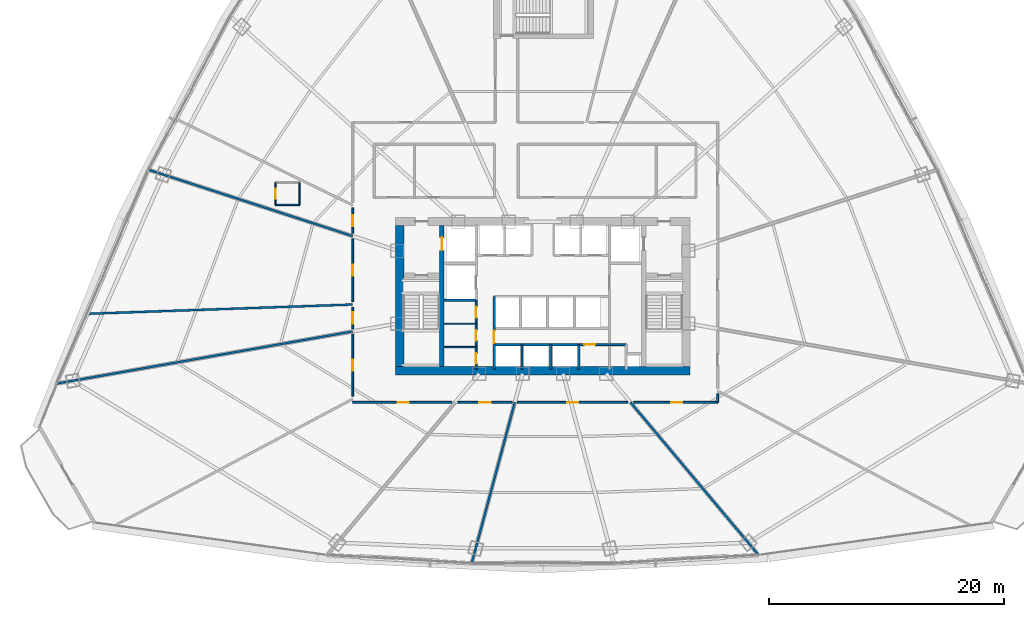
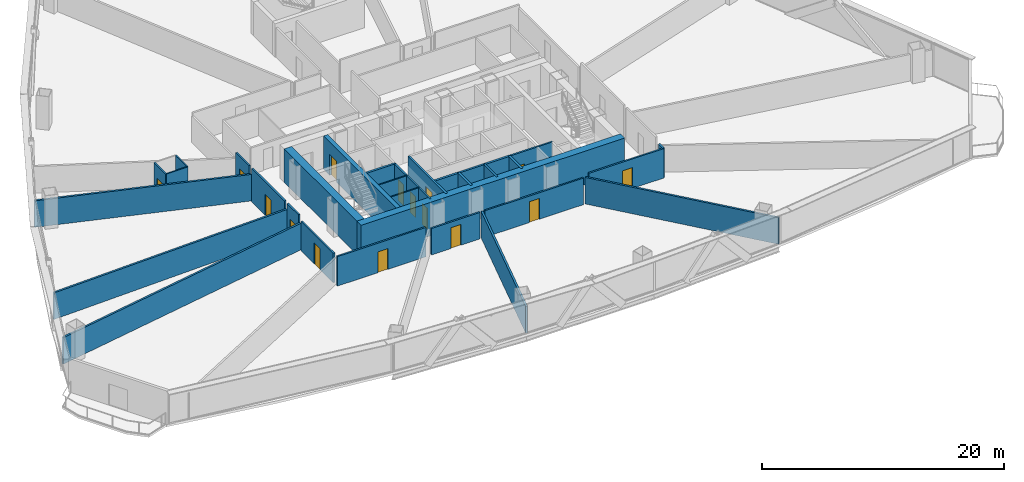
# One storey, part 29 of 37: 30 walls, 15 doors, 15 openings.
"""IFC4 building model written with IfcOpenShell, lengths in metres."""

from ifc_helpers import new_model, si_unit, direction, frame, frame_2d, origin, origin_with_axes, place, context, subcontext, project, spatial, rectangle, extrude, source, transform, mapped, material, layer, layer_set, type_object, element, fill, save


model = new_model("IFC4")

# Units and contexts
model_context = context("Model", 3, precision=1e-05, world=origin(), true_north=direction((0.0, 1.0)))
body_context = subcontext(model_context, "Body", "Model", "MODEL_VIEW")
ifc_project = project(units=[si_unit("LENGTHUNIT", "METRE"), si_unit("AREAUNIT", "SQUARE_METRE"), si_unit("VOLUMEUNIT", "CUBIC_METRE"), si_unit("PLANEANGLEUNIT", "RADIAN"), si_unit("MASSUNIT", "GRAM", prefix="KILO"), si_unit("THERMODYNAMICTEMPERATUREUNIT", "KELVIN"), si_unit("POWERUNIT", "WATT")], contexts=[model_context])

# Site, building, storey
site_placement = place(None, origin())
site = spatial("IfcSite", under=ifc_project, at=site_placement, CompositionType="ELEMENT")
building_placement = place(site_placement, origin())
building = spatial("IfcBuilding", under=site, at=building_placement, Name="Yunzhuo Pagoda Commons", CompositionType="ELEMENT")
storey_placement = place(building_placement, frame((0.0, 0.0, 52.179931640625)))
storey = spatial("IfcBuildingStorey", under=building, at=storey_placement, Name="L13", CompositionType="ELEMENT", Elevation=52.179931640625)

# Walls
ifc_material_1 = material(Name="Concrete C60", Category="concrete")
ifc_layer_1 = layer(ifc_material_1, 0.699951171875)
ifc_layer_set_1 = layer_set([ifc_layer_1], Name="Concrete C60")
wall_type_1 = type_object("IfcWallType", Name="W-C01 Lower Core Shear Wall 700", PredefinedType="SHEAR", material=ifc_layer_set_1)
wall_1_placement = place(storey_placement, frame((35.449951171875, 27.5, 0.0), z_axis=(0.0, 0.0, 1.0), x_axis=(1.0, 0.0, 0.0)))
element("IfcWall", 1, at=wall_1_placement, inside=storey, type_object=wall_type_1, Name="L13 core shear wall S", PredefinedType="SHEAR", context=body_context, shape_type="SweptSolid", body=[
    extrude(rectangle(XDim=25.10009765625, YDim=0.699951171875, at=frame_2d((12.550048828125, 0.0))), origin(), (0.0, 0.0, 1.0), 3.3701171875),
])
wall_2_placement = place(storey_placement, frame((35.800048828125, 27.85009765625, 0.0), z_axis=(0.0, 0.0, 1.0), x_axis=(0.0, 1.0, 0.0)))
element("IfcWall", 2, at=wall_2_placement, inside=storey, type_object=wall_type_1, Name="L13 core shear wall W", PredefinedType="SHEAR", context=body_context, shape_type="SweptSolid", body=[
    extrude(rectangle(XDim=12.0, YDim=0.699951171875, at=frame_2d((6.0, 0.0))), origin(), (0.0, 0.0, 1.0), 3.3701171875),
])

# Wall, openings, doors
ifc_material_2 = material(Name="Gypsum plasterboard on acoustic stud")
ifc_layer_2 = layer(ifc_material_2, 0.159912109375)
ifc_layer_set_2 = layer_set([ifc_layer_2], Name="Gypsum plasterboard on acoustic stud")
wall_type_2 = type_object("IfcWallType", Name="W-COR1 Tower Rated Corridor Wall 160", PredefinedType="PARTITIONING", material=ifc_layer_set_2)
wall_3_placement = place(storey_placement, frame((42.320068359375, 27.60009765625, 0.0), z_axis=(0.0, 0.0, 1.0), x_axis=(0.0, 1.0, 0.0)))
wall_3 = element("IfcWall", 3, at=wall_3_placement, inside=storey, type_object=wall_type_2, Name="L13 interior wall IW-L13-CSWE", PredefinedType="PARTITIONING", context=body_context, shape_type="SweptSolid", body=[
    extrude(rectangle(XDim=5.89990234375, YDim=0.159912109375, at=frame_2d((2.949951171875, 0.0))), origin(), (0.0, 0.0, 1.0), 3.3701171875),
])
opening_1_placement = place(wall_3_placement, frame((0.5, 0.0, 0.0)))
opening_1 = element("IfcOpeningElement", 4, at=opening_1_placement, cuts=wall_3, Name="Opening D-03", PredefinedType="OPENING", context=body_context, shape_type="SweptSolid", body=[
    extrude(rectangle(XDim=0.89990234375, YDim=2.10009765625, at=frame_2d((0.449951171875, 1.050048828125))), frame((0.0, 0.08984375, 0.0), z_axis=(0.0, -1.0, 0.0), x_axis=(1.0, 0.0, 0.0)), (0.0, 0.0, 1.0), 0.179931640625),
])
opening_2_placement = place(wall_3_placement, frame((2.449951171875, 0.0, 0.0)))
opening_2 = element("IfcOpeningElement", 5, at=opening_2_placement, cuts=wall_3, Name="Opening D-03", PredefinedType="OPENING", context=body_context, shape_type="SweptSolid", body=[
    extrude(rectangle(XDim=0.89990234375, YDim=2.10009765625, at=frame_2d((0.449951171875, 1.050048828125))), frame((0.0, 0.08984375, 0.0), z_axis=(0.0, -1.0, 0.0), x_axis=(1.0, 0.0, 0.0)), (0.0, 0.0, 1.0), 0.179931640625),
])
opening_3_placement = place(wall_3_placement, frame((4.419921875, 0.0, 0.0)))
opening_3 = element("IfcOpeningElement", 6, at=opening_3_placement, cuts=wall_3, Name="Opening D-11", PredefinedType="OPENING", context=body_context, shape_type="SweptSolid", body=[
    extrude(rectangle(XDim=0.93994140625, YDim=2.10009765625, at=frame_2d((0.469970703125, 1.050048828125))), frame((0.0, 0.08984375, 0.0), z_axis=(0.0, -1.0, 0.0), x_axis=(1.0, 0.0, 0.0)), (0.0, 0.0, 1.0), 0.179931640625),
])
ifc_material_3 = material(Name="Galvanized fire-resisting metal leaf")
door_type_1 = type_object("IfcDoorType", Name="D-03 Core Service Fire Door 900x2100", OperationType="NOTDEFINED", PredefinedType="DOOR", material=ifc_material_3)
shared_shape_1 = source(origin(), body_context, "Body", "SweptSolid", [
    extrude(rectangle(XDim=0.89990234375, YDim=2.10009765625, at=frame_2d((0.449951171875, 1.050048828125))), frame((0.0, 0.02490234375, 0.0), z_axis=(0.0, -1.0, 0.0), x_axis=(1.0, 0.0, 0.0)), (0.0, 0.0, 1.0), 0.050048828125),
])
door_1_placement = place(opening_1_placement, origin_with_axes())
door_1 = element("IfcDoor", 7, at=door_1_placement, inside=storey, type_object=door_type_1, Name="L13 switch door", OperationType="SINGLE_SWING_RIGHT", OverallHeight=2.10009765625, OverallWidth=0.89990234375, PredefinedType="DOOR", context=body_context, shape_type="MappedRepresentation", body=[
    mapped(shared_shape_1, transform((0.0, 0.0, 0.0), scale=1.0)),
])
fill(opening_1, door_1)
door_2_placement = place(opening_2_placement, origin_with_axes())
door_2 = element("IfcDoor", 8, at=door_2_placement, inside=storey, type_object=door_type_1, Name="L13 cleaner door", OperationType="SINGLE_SWING_RIGHT", OverallHeight=2.10009765625, OverallWidth=0.89990234375, PredefinedType="DOOR", context=body_context, shape_type="MappedRepresentation", body=[
    mapped(shared_shape_1, transform((0.0, 0.0, 0.0), scale=1.0)),
])
fill(opening_2, door_2)
door_type_2 = type_object("IfcDoorType", Name="D-11 Accessible Washroom Fire Door 940x2100", OperationType="NOTDEFINED", PredefinedType="DOOR", material=ifc_material_3)
shared_shape_2 = source(origin(), body_context, "Body", "SweptSolid", [
    extrude(rectangle(XDim=0.93994140625, YDim=2.10009765625, at=frame_2d((0.469970703125, 1.050048828125))), frame((0.0, 0.02490234375, 0.0), z_axis=(0.0, -1.0, 0.0), x_axis=(1.0, 0.0, 0.0)), (0.0, 0.0, 1.0), 0.050048828125),
])
door_3_placement = place(opening_3_placement, origin_with_axes())
door_3 = element("IfcDoor", 9, at=door_3_placement, inside=storey, type_object=door_type_2, Name="L13 core WC door", OperationType="SINGLE_SWING_LEFT", OverallHeight=2.10009765625, OverallWidth=0.93994140625, PredefinedType="DOOR", context=body_context, shape_type="MappedRepresentation", body=[
    mapped(shared_shape_2, transform((0.0, 0.0, 0.0), scale=1.0)),
])
fill(opening_3, door_3)

# Wall, opening, door
wall_4_placement = place(storey_placement, frame((51.050048828125, 29.719970703125, 0.0), z_axis=(0.0, 0.0, 1.0), x_axis=(1.0, 0.0, 0.0)))
wall_4 = element("IfcWall", 10, at=wall_4_placement, inside=storey, type_object=wall_type_2, Name="L13 interior wall IW-L13-CSES", PredefinedType="PARTITIONING", context=body_context, shape_type="SweptSolid", body=[
    extrude(rectangle(XDim=4.070068359375, YDim=0.159912109375, at=frame_2d((2.03515625, 0.0))), origin(), (0.0, 0.0, 1.0), 3.3701171875),
])
opening_4_placement = place(wall_4_placement, frame((0.5, 0.0, 0.0)))
opening_4 = element("IfcOpeningElement", 11, at=opening_4_placement, cuts=wall_4, Name="Opening D-03", PredefinedType="OPENING", context=body_context, shape_type="SweptSolid", body=[
    extrude(rectangle(XDim=0.89990234375, YDim=2.10009765625, at=frame_2d((0.449951171875, 1.050048828125))), frame((0.0, 0.08984375, 0.0), z_axis=(0.0, -1.0, 0.0), x_axis=(1.0, 0.0, 0.0)), (0.0, 0.0, 1.0), 0.179931640625),
])
door_4_placement = place(opening_4_placement, origin_with_axes())
door_4 = element("IfcDoor", 12, at=door_4_placement, inside=storey, type_object=door_type_1, Name="L13 core pantry door", OperationType="SINGLE_SWING_RIGHT", OverallHeight=2.10009765625, OverallWidth=0.89990234375, PredefinedType="DOOR", context=body_context, shape_type="MappedRepresentation", body=[
    mapped(shared_shape_1, transform((0.0, 0.0, 0.0), scale=1.0)),
])
fill(opening_4, door_4)

wall_5_placement = place(storey_placement, frame((31.800048828125, 25.306396484375, 0.0), z_axis=(0.0, 0.0, 1.0), x_axis=(0.0, 1.0, 0.0)))
wall_5 = element("IfcWall", 13, at=wall_5_placement, inside=storey, type_object=wall_type_2, Name="L13 interior wall IW-L13-CWL01", PredefinedType="PARTITIONING", context=body_context, shape_type="SweptSolid", body=[
    extrude(rectangle(XDim=5.313720703125, YDim=0.159912109375, at=frame_2d((2.65673828125, 0.0))), origin(), (0.0, 0.0, 1.0), 2.969970703125),
])
opening_5_placement = place(wall_5_placement, frame((2.18359375, 0.0, 0.0)))
opening_5 = element("IfcOpeningElement", 14, at=opening_5_placement, cuts=wall_5, Name="Opening D-06", PredefinedType="OPENING", context=body_context, shape_type="SweptSolid", body=[
    extrude(rectangle(XDim=0.949951171875, YDim=2.10009765625, at=frame_2d((0.47509765625, 1.050048828125))), frame((0.0, 0.08984375, 0.0), z_axis=(0.0, -1.0, 0.0), x_axis=(1.0, 0.0, 0.0)), (0.0, 0.0, 1.0), 0.179931640625),
])
door_type_3 = type_object("IfcDoorType", Name="D-06 Co-Living Suite Entrance Fire Door 950x2100", OperationType="NOTDEFINED", PredefinedType="DOOR", material=ifc_material_3)
shared_shape_3 = source(origin(), body_context, "Body", "SweptSolid", [
    extrude(rectangle(XDim=0.949951171875, YDim=2.10009765625, at=frame_2d((0.47509765625, 1.050048828125))), frame((0.0, 0.02490234375, 0.0), z_axis=(0.0, -1.0, 0.0), x_axis=(1.0, 0.0, 0.0)), (0.0, 0.0, 1.0), 0.050048828125),
])
door_5_placement = place(opening_5_placement, origin_with_axes())
door_5 = element("IfcDoor", 15, at=door_5_placement, inside=storey, type_object=door_type_3, Name="L13 unit 09 entrance door", OperationType="SINGLE_SWING_LEFT", OverallHeight=2.10009765625, OverallWidth=0.949951171875, PredefinedType="DOOR", context=body_context, shape_type="MappedRepresentation", body=[
    mapped(shared_shape_3, transform((0.0, 0.0, 0.0), scale=1.0)),
])
fill(opening_5, door_5)

wall_6_placement = place(storey_placement, frame((31.800048828125, 31.063232421875, 0.0), z_axis=(0.0, 0.0, 1.0), x_axis=(0.0, 1.0, 0.0)))
wall_6 = element("IfcWall", 16, at=wall_6_placement, inside=storey, type_object=wall_type_2, Name="L13 interior wall IW-L13-CWL02", PredefinedType="PARTITIONING", context=body_context, shape_type="SweptSolid", body=[
    extrude(rectangle(XDim=1.85107421875, YDim=0.159912109375, at=frame_2d((0.925537109375, 0.0))), origin(), (0.0, 0.0, 1.0), 3.3701171875),
])
opening_6_placement = place(wall_6_placement, frame((0.45068359375, 0.0, 0.0)))
opening_6 = element("IfcOpeningElement", 17, at=opening_6_placement, cuts=wall_6, Name="Opening D-06", PredefinedType="OPENING", context=body_context, shape_type="SweptSolid", body=[
    extrude(rectangle(XDim=0.949951171875, YDim=2.10009765625, at=frame_2d((0.47509765625, 1.050048828125))), frame((0.0, 0.08984375, 0.0), z_axis=(0.0, -1.0, 0.0), x_axis=(1.0, 0.0, 0.0)), (0.0, 0.0, 1.0), 0.179931640625),
])
door_6_placement = place(opening_6_placement, origin_with_axes())
door_6 = element("IfcDoor", 18, at=door_6_placement, inside=storey, type_object=door_type_3, Name="L13 unit 08 entrance door", OperationType="SINGLE_SWING_RIGHT", OverallHeight=2.10009765625, OverallWidth=0.949951171875, PredefinedType="DOOR", context=body_context, shape_type="MappedRepresentation", body=[
    mapped(shared_shape_3, transform((0.0, 0.0, 0.0), scale=1.0)),
])
fill(opening_6, door_6)

wall_7_placement = place(storey_placement, frame((31.800048828125, 33.35400390625, 0.0), z_axis=(0.0, 0.0, 1.0), x_axis=(0.0, 1.0, 0.0)))
wall_7 = element("IfcWall", 19, at=wall_7_placement, inside=storey, type_object=wall_type_2, Name="L13 interior wall IW-L13-CWL03", PredefinedType="PARTITIONING", context=body_context, shape_type="SweptSolid", body=[
    extrude(rectangle(XDim=5.389892578125, YDim=0.159912109375, at=frame_2d((2.69482421875, 0.0))), origin(), (0.0, 0.0, 1.0), 3.3701171875),
])
opening_7_placement = place(wall_7_placement, frame((2.219970703125, 0.0, 0.0)))
opening_7 = element("IfcOpeningElement", 20, at=opening_7_placement, cuts=wall_7, Name="Opening D-06", PredefinedType="OPENING", context=body_context, shape_type="SweptSolid", body=[
    extrude(rectangle(XDim=0.949951171875, YDim=2.10009765625, at=frame_2d((0.47509765625, 1.050048828125))), frame((0.0, 0.08984375, 0.0), z_axis=(0.0, -1.0, 0.0), x_axis=(1.0, 0.0, 0.0)), (0.0, 0.0, 1.0), 0.179931640625),
])
door_7_placement = place(opening_7_placement, origin_with_axes())
door_7 = element("IfcDoor", 21, at=door_7_placement, inside=storey, type_object=door_type_3, Name="L13 unit 07 entrance door", OperationType="SINGLE_SWING_LEFT", OverallHeight=2.10009765625, OverallWidth=0.949951171875, PredefinedType="DOOR", context=body_context, shape_type="MappedRepresentation", body=[
    mapped(shared_shape_3, transform((0.0, 0.0, 0.0), scale=1.0)),
])
fill(opening_7, door_7)

wall_8_placement = place(storey_placement, frame((31.800048828125, 39.195068359375, 0.0), z_axis=(0.0, 0.0, 1.0), x_axis=(0.0, 1.0, 0.0)))
wall_8 = element("IfcWall", 22, at=wall_8_placement, inside=storey, type_object=wall_type_2, Name="L13 interior wall IW-L13-CWL04", PredefinedType="PARTITIONING", context=body_context, shape_type="SweptSolid", body=[
    extrude(rectangle(XDim=2.1865234375, YDim=0.159912109375, at=frame_2d((1.09326171875, 0.0))), origin(), (0.0, 0.0, 1.0), 3.3701171875),
])
opening_8_placement = place(wall_8_placement, frame((0.612548828125, 0.0, 0.0)))
opening_8 = element("IfcOpeningElement", 23, at=opening_8_placement, cuts=wall_8, Name="Opening D-06", PredefinedType="OPENING", context=body_context, shape_type="SweptSolid", body=[
    extrude(rectangle(XDim=0.949951171875, YDim=2.10009765625, at=frame_2d((0.47509765625, 1.050048828125))), frame((0.0, 0.08984375, 0.0), z_axis=(0.0, -1.0, 0.0), x_axis=(1.0, 0.0, 0.0)), (0.0, 0.0, 1.0), 0.179931640625),
])
door_8_placement = place(opening_8_placement, origin_with_axes())
door_8 = element("IfcDoor", 24, at=door_8_placement, inside=storey, type_object=door_type_3, Name="L13 unit 06 entrance door", OperationType="SINGLE_SWING_RIGHT", OverallHeight=2.10009765625, OverallWidth=0.949951171875, PredefinedType="DOOR", context=body_context, shape_type="MappedRepresentation", body=[
    mapped(shared_shape_3, transform((0.0, 0.0, 0.0), scale=1.0)),
])
fill(opening_8, door_8)

# Wall
wall_9_placement = place(storey_placement, frame((62.89990234375, 25.5283203125, 0.0), z_axis=(0.0, 0.0, 1.0), x_axis=(0.0, -1.0, 0.0)))
element("IfcWall", 25, at=wall_9_placement, inside=storey, type_object=wall_type_2, Name="L13 interior wall IW-L13-CWL16", PredefinedType="PARTITIONING", context=body_context, shape_type="SweptSolid", body=[
    extrude(rectangle(XDim=0.728271484375, YDim=0.159912109375, at=frame_2d((0.3642578125, 0.0))), origin(), (0.0, 0.0, 1.0), 2.969970703125),
])

# Wall, opening, door
wall_10_placement = place(storey_placement, frame((62.89990234375, 24.800048828125, 0.0), z_axis=(0.0, 0.0, 1.0), x_axis=(-1.0, 0.0, 0.0)))
wall_10 = element("IfcWall", 26, at=wall_10_placement, inside=storey, type_object=wall_type_2, Name="L13 interior wall IW-L13-CWL17", PredefinedType="PARTITIONING", context=body_context, shape_type="SweptSolid", body=[
    extrude(rectangle(XDim=7.144775390625, YDim=0.159912109375, at=frame_2d((3.572265625, 0.0))), origin(), (0.0, 0.0, 1.0), 2.969970703125),
])
opening_9_placement = place(wall_10_placement, frame((3.010986328125, 0.0, 0.0)))
opening_9 = element("IfcOpeningElement", 27, at=opening_9_placement, cuts=wall_10, Name="Opening D-06", PredefinedType="OPENING", context=body_context, shape_type="SweptSolid", body=[
    extrude(rectangle(XDim=0.949951171875, YDim=2.10009765625, at=frame_2d((0.47509765625, 1.050048828125))), frame((0.0, 0.08984375, 0.0), z_axis=(0.0, -1.0, 0.0), x_axis=(1.0, 0.0, 0.0)), (0.0, 0.0, 1.0), 0.179931640625),
])
door_9_placement = place(opening_9_placement, origin_with_axes())
door_9 = element("IfcDoor", 28, at=door_9_placement, inside=storey, type_object=door_type_3, Name="L13 unit 13 entrance door", OperationType="SINGLE_SWING_LEFT", OverallHeight=2.10009765625, OverallWidth=0.949951171875, PredefinedType="DOOR", context=body_context, shape_type="MappedRepresentation", body=[
    mapped(shared_shape_3, transform((0.0, 0.0, 0.0), scale=1.0)),
])
fill(opening_9, door_9)

wall_11_placement = place(storey_placement, frame((55.248046875, 24.800048828125, 0.0), z_axis=(0.0, 0.0, 1.0), x_axis=(-1.0, 0.0, 0.0)))
wall_11 = element("IfcWall", 29, at=wall_11_placement, inside=storey, type_object=wall_type_2, Name="L13 interior wall IW-L13-CWL18", PredefinedType="PARTITIONING", context=body_context, shape_type="SweptSolid", body=[
    extrude(rectangle(XDim=9.412841796875, YDim=0.159912109375, at=frame_2d((4.70654296875, 0.0))), origin(), (0.0, 0.0, 1.0), 2.670166015625),
])
opening_10_placement = place(wall_11_placement, frame((4.2314453125, 0.0, 0.0)))
opening_10 = element("IfcOpeningElement", 30, at=opening_10_placement, cuts=wall_11, Name="Opening D-06", PredefinedType="OPENING", context=body_context, shape_type="SweptSolid", body=[
    extrude(rectangle(XDim=0.949951171875, YDim=2.10009765625, at=frame_2d((0.47509765625, 1.050048828125))), frame((0.0, 0.08984375, 0.0), z_axis=(0.0, -1.0, 0.0), x_axis=(1.0, 0.0, 0.0)), (0.0, 0.0, 1.0), 0.179931640625),
])
door_10_placement = place(opening_10_placement, origin_with_axes())
door_10 = element("IfcDoor", 31, at=door_10_placement, inside=storey, type_object=door_type_3, Name="L13 Academic Reading Commons 2 door", OperationType="SINGLE_SWING_RIGHT", OverallHeight=2.10009765625, OverallWidth=0.949951171875, PredefinedType="DOOR", context=body_context, shape_type="MappedRepresentation", body=[
    mapped(shared_shape_3, transform((0.0, 0.0, 0.0), scale=1.0)),
])
fill(opening_10, door_10)

wall_12_placement = place(storey_placement, frame((45.387451171875, 24.800048828125, 0.0), z_axis=(0.0, 0.0, 1.0), x_axis=(-1.0, 0.0, 0.0)))
wall_12 = element("IfcWall", 32, at=wall_12_placement, inside=storey, type_object=wall_type_2, Name="L13 interior wall IW-L13-CWL19", PredefinedType="PARTITIONING", context=body_context, shape_type="SweptSolid", body=[
    extrude(rectangle(XDim=4.635498046875, YDim=0.159912109375, at=frame_2d((2.31787109375, 0.0))), origin(), (0.0, 0.0, 1.0), 2.670166015625),
])
opening_11_placement = place(wall_12_placement, frame((1.8388671875, 0.0, 0.0)))
opening_11 = element("IfcOpeningElement", 33, at=opening_11_placement, cuts=wall_12, Name="Opening D-06", PredefinedType="OPENING", context=body_context, shape_type="SweptSolid", body=[
    extrude(rectangle(XDim=0.949951171875, YDim=2.10009765625, at=frame_2d((0.47509765625, 1.050048828125))), frame((0.0, 0.08984375, 0.0), z_axis=(0.0, -1.0, 0.0), x_axis=(1.0, 0.0, 0.0)), (0.0, 0.0, 1.0), 0.179931640625),
])
door_11_placement = place(opening_11_placement, origin_with_axes())
door_11 = element("IfcDoor", 34, at=door_11_placement, inside=storey, type_object=door_type_3, Name="L13 unit 11 entrance door", OperationType="SINGLE_SWING_LEFT", OverallHeight=2.10009765625, OverallWidth=0.949951171875, PredefinedType="DOOR", context=body_context, shape_type="MappedRepresentation", body=[
    mapped(shared_shape_3, transform((0.0, 0.0, 0.0), scale=1.0)),
])
fill(opening_11, door_11)

wall_13_placement = place(storey_placement, frame((40.244873046875, 24.800048828125, 0.0), z_axis=(0.0, 0.0, 1.0), x_axis=(-1.0, 0.0, 0.0)))
wall_13 = element("IfcWall", 35, at=wall_13_placement, inside=storey, type_object=wall_type_2, Name="L13 interior wall IW-L13-CWL20", PredefinedType="PARTITIONING", context=body_context, shape_type="SweptSolid", body=[
    extrude(rectangle(XDim=8.44482421875, YDim=0.159912109375, at=frame_2d((4.222412109375, 0.0))), origin(), (0.0, 0.0, 1.0), 2.969970703125),
])
opening_12_placement = place(wall_13_placement, frame((3.654052734375, 0.0, 0.0)))
opening_12 = element("IfcOpeningElement", 36, at=opening_12_placement, cuts=wall_13, Name="Opening D-06", PredefinedType="OPENING", context=body_context, shape_type="SweptSolid", body=[
    extrude(rectangle(XDim=0.949951171875, YDim=2.10009765625, at=frame_2d((0.47509765625, 1.050048828125))), frame((0.0, 0.08984375, 0.0), z_axis=(0.0, -1.0, 0.0), x_axis=(1.0, 0.0, 0.0)), (0.0, 0.0, 1.0), 0.179931640625),
])
door_12_placement = place(opening_12_placement, origin_with_axes())
door_12 = element("IfcDoor", 37, at=door_12_placement, inside=storey, type_object=door_type_3, Name="L13 unit 10 entrance door", OperationType="SINGLE_SWING_RIGHT", OverallHeight=2.10009765625, OverallWidth=0.949951171875, PredefinedType="DOOR", context=body_context, shape_type="MappedRepresentation", body=[
    mapped(shared_shape_3, transform((0.0, 0.0, 0.0), scale=1.0)),
])
fill(opening_12, door_12)

# Walls
ifc_layer_3 = layer(ifc_material_2, 0.1201171875)
ifc_layer_set_3 = layer_set([ifc_layer_3], Name="Gypsum plasterboard on acoustic stud")
wall_type_3 = type_object("IfcWallType", Name="W-PRT1 Suite & Bathroom Partition 120", PredefinedType="PARTITIONING", material=ifc_layer_set_3)
for number, where, z_axis, x_axis, name in (
    (38, (39.60009765625, 29.5, 0.0), (0.0, 0.0, 1.0), (1.0, 0.0, 0.0), "L13 interior wall IW-L13-CC1"),
    (39, (39.60009765625, 31.5, 0.0), (0.0, 0.0, 1.0), (1.0, 0.0, 0.0), "L13 interior wall IW-L13-CC2"),
):
    element("IfcWall", number, at=place(storey_placement, frame(where, z_axis=z_axis, x_axis=x_axis)), inside=storey, type_object=wall_type_3, Name=name, PredefinedType="PARTITIONING", context=body_context, shape_type="SweptSolid", body=[
        extrude(rectangle(XDim=2.719970703125, YDim=0.1201171875, at=frame_2d((1.35986328125, 0.0))), origin(), (0.0, 0.0, 1.0), 3.3701171875),
    ])
wall_14_placement = place(storey_placement, frame((25.218017578125, 41.631103515625, 0.0), z_axis=(0.0, 0.0, 1.0), x_axis=(1.0, 0.0, 0.0)))
element("IfcWall", 40, at=wall_14_placement, inside=storey, type_object=wall_type_3, Name="L13 interior wall IW-L13-B06S", PredefinedType="PARTITIONING", context=body_context, shape_type="SweptSolid", body=[
    extrude(rectangle(XDim=2.050048828125, YDim=0.1201171875, at=frame_2d((1.02490234375, 0.0))), origin(), (0.0, 0.0, 1.0), 3.3701171875),
])
wall_15_placement = place(storey_placement, frame((27.26806640625, 41.631103515625, 0.0), z_axis=(0.0, 0.0, 1.0), x_axis=(0.0, 1.0, 0.0)))
element("IfcWall", 41, at=wall_15_placement, inside=storey, type_object=wall_type_3, Name="L13 interior wall IW-L13-B06E", PredefinedType="PARTITIONING", context=body_context, shape_type="SweptSolid", body=[
    extrude(rectangle(XDim=1.89990234375, YDim=0.1201171875, at=frame_2d((0.949951171875, 0.0))), origin(), (0.0, 0.0, 1.0), 3.3701171875),
])

# Wall, opening, door
wall_16_placement = place(storey_placement, frame((25.218017578125, 43.531005859375, 0.0), z_axis=(0.0, 0.0, 1.0), x_axis=(0.0, -1.0, 0.0)))
wall_16 = element("IfcWall", 42, at=wall_16_placement, inside=storey, type_object=wall_type_3, Name="L13 interior wall IW-L13-B06W", PredefinedType="PARTITIONING", context=body_context, shape_type="SweptSolid", body=[
    extrude(rectangle(XDim=1.89990234375, YDim=0.1201171875, at=frame_2d((0.949951171875, 0.0))), origin(), (0.0, 0.0, 1.0), 3.3701171875),
])
opening_13_placement = place(wall_16_placement, frame((0.52490234375, 0.0, 0.0)))
opening_13 = element("IfcOpeningElement", 43, at=opening_13_placement, cuts=wall_16, Name="Opening D-05", PredefinedType="OPENING", context=body_context, shape_type="SweptSolid", body=[
    extrude(rectangle(XDim=0.85009765625, YDim=2.10009765625, at=frame_2d((0.425048828125, 1.050048828125))), frame((0.0, 0.070068359375, 0.0), z_axis=(0.0, -1.0, 0.0), x_axis=(1.0, 0.0, 0.0)), (0.0, 0.0, 1.0), 0.14013671875),
])
ifc_material_4 = material(Name="Powder-coated aluminium and timber acoustic leaf", Category="wood")
door_type_4 = type_object("IfcDoorType", Name="D-05 En-Suite Bathroom Door 850x2100", OperationType="NOTDEFINED", PredefinedType="DOOR", material=ifc_material_4)
shared_shape_4 = source(origin(), body_context, "Body", "SweptSolid", [
    extrude(rectangle(XDim=0.85009765625, YDim=2.10009765625, at=frame_2d((0.425048828125, 1.050048828125))), frame((0.0, 0.02490234375, 0.0), z_axis=(0.0, -1.0, 0.0), x_axis=(1.0, 0.0, 0.0)), (0.0, 0.0, 1.0), 0.050048828125),
])
door_13_placement = place(opening_13_placement, frame((0.85009765625, 0.0, 0.0), z_axis=(0.0, 0.0, 1.0), x_axis=(-1.0, 0.0, 0.0)))
door_13 = element("IfcDoor", 44, at=door_13_placement, inside=storey, type_object=door_type_4, Name="L13 unit 06 bathroom door", OperationType="SINGLE_SWING_RIGHT", OverallHeight=2.10009765625, OverallWidth=0.85009765625, PredefinedType="DOOR", context=body_context, shape_type="MappedRepresentation", body=[
    mapped(shared_shape_4, transform((0.0, 0.0, 0.0), scale=1.0)),
])
fill(opening_13, door_13)

# Walls
ifc_layer_4 = layer(ifc_material_2, 0.179931640625)
ifc_layer_set_4 = layer_set([ifc_layer_4], Name="Gypsum plasterboard on acoustic stud")
wall_type_4 = type_object("IfcWallType", Name="W-PRT2 Acoustic Unit Demising Wall 180", PredefinedType="PARTITIONING", material=ifc_layer_set_4)
wall_17_placement = place(storey_placement, frame((31.800048828125, 38.963623046875, 0.0), z_axis=(0.0, 0.0, 1.0), x_axis=(-0.951052304058, 0.309029958006, 0.0)))
element("IfcWall", 45, at=wall_17_placement, inside=storey, type_object=wall_type_4, Name="L13 interior wall IW-L13-RAD06", PredefinedType="PARTITIONING", context=body_context, shape_type="SweptSolid", body=[
    extrude(rectangle(XDim=18.298583984375, YDim=0.179931640625, at=frame_2d((9.1494140625, 0.0))), origin(), (0.0, 0.0, 1.0), 2.670166015625),
])
wall_18_placement = place(storey_placement, frame((31.800048828125, 33.13427734375, 0.0), z_axis=(0.0, 0.0, 1.0), x_axis=(-0.999390651746, -0.034904515515, 0.0)))
element("IfcWall", 46, at=wall_18_placement, inside=storey, type_object=wall_type_4, Name="L13 interior wall IW-L13-RAD07", PredefinedType="PARTITIONING", context=body_context, shape_type="SweptSolid", body=[
    extrude(rectangle(XDim=22.683349609375, YDim=0.179931640625, at=frame_2d((11.341796875, 0.0))), origin(), (0.0, 0.0, 1.0), 2.670166015625),
])
wall_19_placement = place(storey_placement, frame((31.800048828125, 30.843505859375, 0.0), z_axis=(0.0, 0.0, 1.0), x_axis=(-0.984808213418, -0.173645566555, 0.0)))
element("IfcWall", 47, at=wall_19_placement, inside=storey, type_object=wall_type_4, Name="L13 interior wall IW-L13-RAD08", PredefinedType="PARTITIONING", context=body_context, shape_type="SweptSolid", body=[
    extrude(rectangle(XDim=25.60986328125, YDim=0.179931640625, at=frame_2d((12.804931640625, 0.0))), origin(), (0.0, 0.0, 1.0), 2.670166015625),
])
wall_20_placement = place(storey_placement, frame((45.615234375, 24.800048828125, 0.0), z_axis=(0.0, 0.0, 1.0), x_axis=(-0.258821679731, -0.965925120339, 0.0)))
element("IfcWall", 48, at=wall_20_placement, inside=storey, type_object=wall_type_4, Name="L13 interior wall IW-L13-RAD11", PredefinedType="PARTITIONING", context=body_context, shape_type="SweptSolid", body=[
    extrude(rectangle(XDim=14.20947265625, YDim=0.179931640625, at=frame_2d((7.104736328125, 0.0))), origin(), (0.0, 0.0, 1.0), 2.670166015625),
])
wall_21_placement = place(storey_placement, frame((55.468017578125, 24.800048828125, 0.0), z_axis=(0.0, 0.0, 1.0), x_axis=(0.642791593325, -0.766041100432, 0.0)))
element("IfcWall", 49, at=wall_21_placement, inside=storey, type_object=wall_type_4, Name="L13 interior wall IW-L13-RAD12", PredefinedType="PARTITIONING", context=body_context, shape_type="SweptSolid", body=[
    extrude(rectangle(XDim=16.98779296875, YDim=0.179931640625, at=frame_2d((8.493896484375, 0.0))), origin(), (0.0, 0.0, 1.0), 2.670166015625),
])

# Wall, opening, door
ifc_layer_5 = layer(ifc_material_1, 0.39990234375)
ifc_layer_set_5 = layer_set([ifc_layer_5], Name="Concrete C60")
wall_type_5 = type_object("IfcWallType", Name="W-S01 Internal Core Shear Web 400", PredefinedType="SHEAR", material=ifc_layer_set_5)
wall_22_placement = place(storey_placement, frame((39.39990234375, 27.85009765625, 0.0), z_axis=(0.0, 0.0, 1.0), x_axis=(0.0, 1.0, 0.0)))
wall_22 = element("IfcWall", 50, at=wall_22_placement, inside=storey, type_object=wall_type_5, Name="L13 core shear wall WEBW", PredefinedType="SHEAR", context=body_context, shape_type="SweptSolid", body=[
    extrude(rectangle(XDim=12.0, YDim=0.39990234375, at=frame_2d((6.0, 0.0))), origin(), (0.0, 0.0, 1.0), 3.3701171875),
])
opening_14_placement = place(wall_22_placement, frame((9.89990234375, 0.0, 0.0)))
opening_14 = element("IfcOpeningElement", 51, at=opening_14_placement, cuts=wall_22, Name="Opening LD-01", PredefinedType="OPENING", context=body_context, shape_type="SweptSolid", body=[
    extrude(rectangle(XDim=1.10009765625, YDim=2.10009765625, at=frame_2d((0.550048828125, 1.050048828125))), frame((0.0, 0.2099609375, 0.0), z_axis=(0.0, -1.0, 0.0), x_axis=(1.0, 0.0, 0.0)), (0.0, 0.0, 1.0), 0.419921875),
])
door_type_5 = type_object("IfcDoorType", Name="LD-01 Firefighting Lift Landing Door 1100x2100", OperationType="DOUBLE_DOOR_SLIDING", PredefinedType="DOOR", material=ifc_material_3)
shared_shape_5 = source(origin(), body_context, "Body", "SweptSolid", [
    extrude(rectangle(XDim=1.10009765625, YDim=2.10009765625, at=frame_2d((0.550048828125, 1.050048828125))), frame((0.0, 0.02490234375, 0.0), z_axis=(0.0, -1.0, 0.0), x_axis=(1.0, 0.0, 0.0)), (0.0, 0.0, 1.0), 0.050048828125),
])
door_14_placement = place(opening_14_placement, frame((1.10009765625, 0.0, 0.0), z_axis=(0.0, 0.0, 1.0), x_axis=(-1.0, 0.0, 0.0)))
door_14 = element("IfcDoor", 52, at=door_14_placement, inside=storey, type_object=door_type_5, Name="L13 Firefighting lift FL-1 landing door", OperationType="DOUBLE_DOOR_SLIDING", OverallHeight=2.10009765625, OverallWidth=1.10009765625, PredefinedType="DOOR", context=body_context, shape_type="MappedRepresentation", body=[
    mapped(shared_shape_5, transform((0.0, 0.0, 0.0), scale=1.0)),
])
fill(opening_14, door_14)

# Wall
ifc_material_5 = material(Name="Concrete C40", Category="concrete")
ifc_layer_6 = layer(ifc_material_5, 0.199951171875)
ifc_layer_set_6 = layer_set([ifc_layer_6], Name="Concrete C40")
wall_type_6 = type_object("IfcWallType", Name="W-SHF Shaft & Stair Enclosure Wall 200", PredefinedType="SOLIDWALL", material=ifc_layer_set_6)
wall_23_placement = place(storey_placement, frame((39.60009765625, 33.5, 0.0), z_axis=(0.0, 0.0, 1.0), x_axis=(1.0, 0.0, 0.0)))
element("IfcWall", 53, at=wall_23_placement, inside=storey, type_object=wall_type_6, Name="L13 interior wall IW-L13-SL1S", PredefinedType="SOLIDWALL", context=body_context, shape_type="SweptSolid", body=[
    extrude(rectangle(XDim=2.719970703125, YDim=0.199951171875, at=frame_2d((1.35986328125, 0.0))), origin(), (0.0, 0.0, 1.0), 3.3701171875),
])

# Wall, opening, door
wall_24_placement = place(storey_placement, frame((43.85009765625, 27.60009765625, 0.0), z_axis=(0.0, 0.0, 1.0), x_axis=(0.0, 1.0, 0.0)))
wall_24 = element("IfcWall", 54, at=wall_24_placement, inside=storey, type_object=wall_type_6, Name="L13 interior wall IW-L13-PLMW", PredefinedType="SOLIDWALL", context=body_context, shape_type="SweptSolid", body=[
    extrude(rectangle(XDim=6.219970703125, YDim=0.199951171875, at=frame_2d((3.10986328125, 0.0))), origin(), (0.0, 0.0, 1.0), 3.3701171875),
])
opening_15_placement = place(wall_24_placement, frame((2.25, 0.0, 0.0)))
opening_15 = element("IfcOpeningElement", 55, at=opening_15_placement, cuts=wall_24, Name="Opening D-02", PredefinedType="OPENING", context=body_context, shape_type="SweptSolid", body=[
    extrude(rectangle(XDim=1.050048828125, YDim=2.10009765625, at=frame_2d((0.52490234375, 1.050048828125))), frame((0.0, 0.10986328125, 0.0), z_axis=(0.0, -1.0, 0.0), x_axis=(1.0, 0.0, 0.0)), (0.0, 0.0, 1.0), 0.219970703125),
])
door_type_6 = type_object("IfcDoorType", Name="D-02 Firefighting Lobby & Refuge Fire Door 1050x2100", OperationType="NOTDEFINED", PredefinedType="DOOR", material=ifc_material_3)
shared_shape_6 = source(origin(), body_context, "Body", "SweptSolid", [
    extrude(rectangle(XDim=1.050048828125, YDim=2.10009765625, at=frame_2d((0.52490234375, 1.050048828125))), frame((0.0, 0.02490234375, 0.0), z_axis=(0.0, -1.0, 0.0), x_axis=(1.0, 0.0, 0.0)), (0.0, 0.0, 1.0), 0.050048828125),
])
door_15_placement = place(opening_15_placement, frame((1.050048828125, 0.0, 0.0), z_axis=(0.0, 0.0, 1.0), x_axis=(-1.0, 0.0, 0.0)))
door_15 = element("IfcDoor", 56, at=door_15_placement, inside=storey, type_object=door_type_6, Name="L13 High-bank hall west door", OperationType="SINGLE_SWING_LEFT", OverallHeight=2.10009765625, OverallWidth=1.050048828125, PredefinedType="DOOR", context=body_context, shape_type="MappedRepresentation", body=[
    mapped(shared_shape_6, transform((0.0, 0.0, 0.0), scale=1.0)),
])
fill(opening_15, door_15)

# Walls
wall_25_placement = place(storey_placement, frame((43.85009765625, 29.719970703125, 0.0), z_axis=(0.0, 0.0, 1.0), x_axis=(1.0, 0.0, 0.0)))
element("IfcWall", 57, at=wall_25_placement, inside=storey, type_object=wall_type_6, Name="L13 interior wall IW-L13-PLHN", PredefinedType="SOLIDWALL", context=body_context, shape_type="SweptSolid", body=[
    extrude(rectangle(XDim=7.199951171875, YDim=0.199951171875, at=frame_2d((3.60009765625, 0.0))), origin(), (0.0, 0.0, 1.0), 3.3701171875),
])
for number, where, z_axis, x_axis, name in (
    (58, (51.050048828125, 27.60009765625, 0.0), (0.0, 0.0, 1.0), (0.0, 1.0, 0.0), "L13 interior wall IW-L13-PLHE"),
    (59, (46.22509765625, 27.60009765625, 0.0), (0.0, 0.0, 1.0), (0.0, 1.0, 0.0), "L13 interior wall IW-L13-PLHD1"),
    (60, (48.675048828125, 27.60009765625, 0.0), (0.0, 0.0, 1.0), (0.0, 1.0, 0.0), "L13 interior wall IW-L13-PLHD2"),
):
    element("IfcWall", number, at=place(storey_placement, frame(where, z_axis=z_axis, x_axis=x_axis)), inside=storey, type_object=wall_type_6, Name=name, PredefinedType="SOLIDWALL", context=body_context, shape_type="SweptSolid", body=[
        extrude(rectangle(XDim=2.119873046875, YDim=0.199951171875, at=frame_2d((1.06005859375, 0.0))), origin(), (0.0, 0.0, 1.0), 3.3701171875),
    ])

save(model, "model.ifc")
